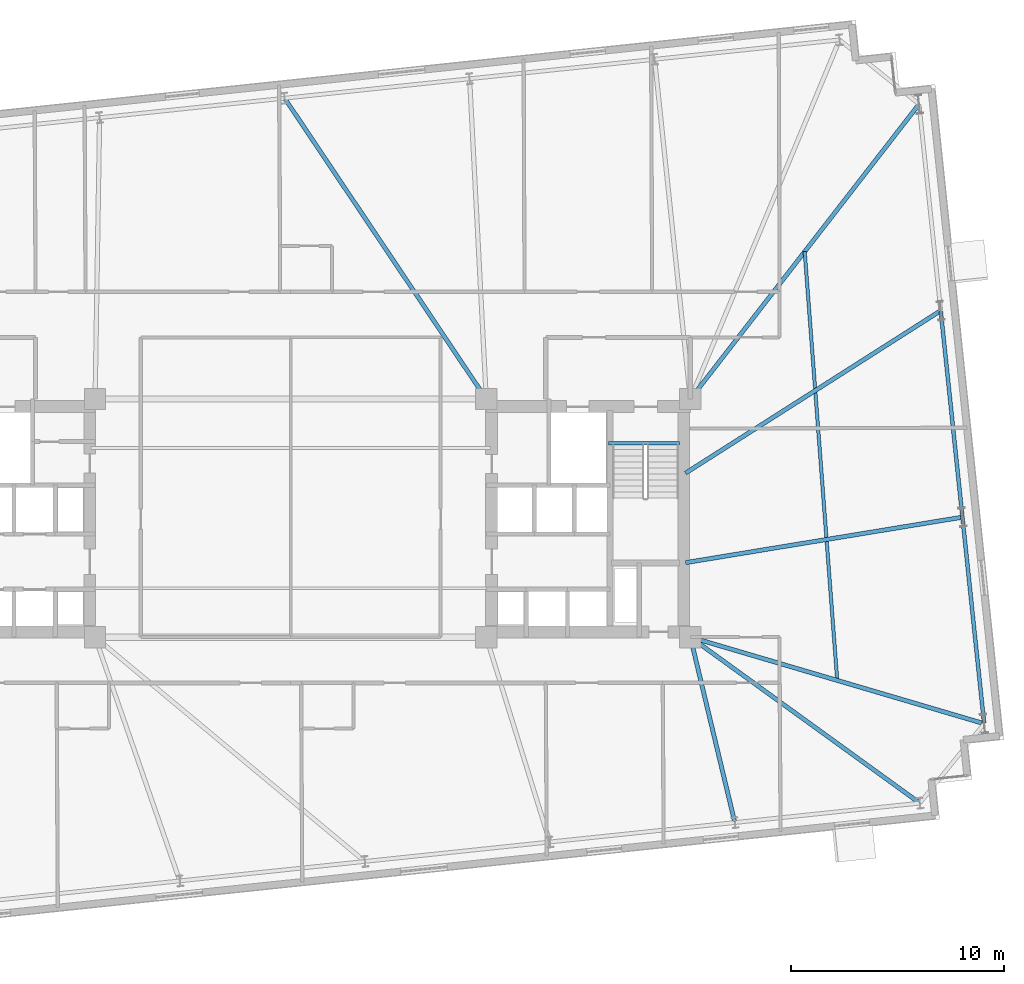
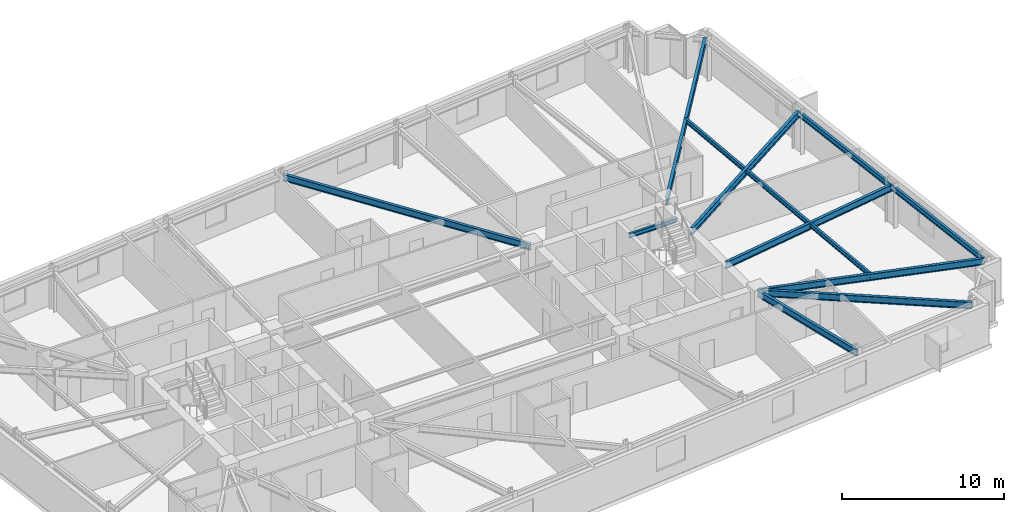
# One storey, part 7 of 17: 11 beams.
"""IFC4 building model written with IfcOpenShell, lengths in metres."""

from ifc_helpers import new_model, si_unit, direction, frame, origin, origin_2d, place, context, subcontext, project, spatial, i_section, extrude, material, material_profile, profile_set, type_object, element, save


model = new_model("IFC4")

# Units and contexts
model_context = context("Model", 3, precision=1e-05, world=origin(), true_north=direction((0.0, 1.0)))
body_context = subcontext(model_context, "Body", "Model", "MODEL_VIEW")
ifc_project = project(units=[si_unit("LENGTHUNIT", "METRE"), si_unit("AREAUNIT", "SQUARE_METRE"), si_unit("VOLUMEUNIT", "CUBIC_METRE"), si_unit("PLANEANGLEUNIT", "RADIAN"), si_unit("MASSUNIT", "GRAM", prefix="KILO")], contexts=[model_context])

# Site, building, storey
site_placement = place(None, origin())
site = spatial("IfcSite", under=ifc_project, at=site_placement, CompositionType="ELEMENT")
building_placement = place(site_placement, origin())
building = spatial("IfcBuilding", under=site, at=building_placement, Name="Qobustan Lattice House", CompositionType="ELEMENT")
storey_placement = place(building_placement, frame((0.0, 0.0, 105.800048828125)))
storey = spatial("IfcBuildingStorey", under=building, at=storey_placement, Name="L29", CompositionType="ELEMENT", Elevation=105.800048828125)

# Beams
ifc_material_1 = material(Name="Steel S355", Category="steel")
ifc_material_profile_1 = material_profile(ifc_material_1, i_section(OverallWidth=0.199951171875, OverallDepth=0.5, WebThickness=0.01025390625, FlangeThickness=0.01611328125, FilletRadius=0.02099609375, at=origin_2d()), Name="IPE500")
ifc_profile_set_1 = profile_set([ifc_material_profile_1], Name="Steel S355")
beam_type_1 = type_object("IfcBeamType", Name="BM-FLG-IPE500", PredefinedType="USERDEFINED", material=ifc_profile_set_1)
beam_1_placement = place(storey_placement, frame((20.885009765625, -14.297607421875, 2.794921875), z_axis=(-0.233107910855, 0.97245087377, 0.0), x_axis=(-0.97245087377, -0.233107910855, 0.0)))
element("IfcBeam", 1, at=beam_1_placement, inside=storey, type_object=beam_type_1, Name="L29 primary floor girder RAD-S6", ObjectType="GIRDER", PredefinedType="USERDEFINED", context=body_context, shape_type="SweptSolid", body=[
    extrude(i_section(OverallWidth=0.199951171875, OverallDepth=0.5, WebThickness=0.01025390625, FlangeThickness=0.01611328125, FilletRadius=0.02099609375, at=origin_2d()), origin(), (0.0, 0.0, 1.0), 8.9189453125),
])
beam_2_placement = place(storey_placement, frame((29.572509765625, -13.392578125, 2.794921875), z_axis=(-0.81023705091, 0.586102313024, 0.0), x_axis=(-0.586102313024, -0.81023705091, 0.0)))
element("IfcBeam", 2, at=beam_2_placement, inside=storey, type_object=beam_type_1, Name="L29 primary floor girder RAD-S7E", ObjectType="GIRDER", PredefinedType="USERDEFINED", context=body_context, shape_type="SweptSolid", body=[
    extrude(i_section(OverallWidth=0.199951171875, OverallDepth=0.5, WebThickness=0.01025390625, FlangeThickness=0.01611328125, FilletRadius=0.02099609375, at=origin_2d()), origin(), (0.0, 0.0, 1.0), 13.2705078125),
])
beam_3_placement = place(storey_placement, frame((-0.272705078125, 19.730224609375, 2.794921875), z_axis=(0.556837669082, -0.830621339896, 0.0), x_axis=(0.830621339896, 0.556837669082, 0.0)))
element("IfcBeam", 3, at=beam_3_placement, inside=storey, type_object=beam_type_1, Name="L29 primary floor girder RAD-N4", ObjectType="GIRDER", PredefinedType="USERDEFINED", context=body_context, shape_type="SweptSolid", body=[
    extrude(i_section(OverallWidth=0.199951171875, OverallDepth=0.5, WebThickness=0.01025390625, FlangeThickness=0.01611328125, FilletRadius=0.02099609375, at=origin_2d()), origin(), (0.0, 0.0, 1.0), 16.986572265625),
])
beam_4_placement = place(storey_placement, frame((29.541015625, 19.44921875, 2.794921875), z_axis=(-0.612860318028, -0.790191262029, 0.0), x_axis=(0.790191262029, -0.612860318028, 0.0)))
element("IfcBeam", 4, at=beam_4_placement, inside=storey, type_object=beam_type_1, Name="L29 primary floor girder RAD-E4", ObjectType="GIRDER", PredefinedType="USERDEFINED", context=body_context, shape_type="SweptSolid", body=[
    extrude(i_section(OverallWidth=0.199951171875, OverallDepth=0.5, WebThickness=0.01025390625, FlangeThickness=0.01611328125, FilletRadius=0.02099609375, at=origin_2d()), origin(), (0.0, 0.0, 1.0), 17.501220703125),
])
beam_5_placement = place(storey_placement, frame((30.555908203125, 9.742431640625, 2.794921875), z_axis=(-0.843584351199, -0.536996687525, 0.0), x_axis=(0.536996687525, -0.843584351199, 0.0)))
element("IfcBeam", 5, at=beam_5_placement, inside=storey, type_object=beam_type_1, Name="L29 primary floor girder RAD-E3", ObjectType="GIRDER", PredefinedType="USERDEFINED", context=body_context, shape_type="SweptSolid", body=[
    extrude(i_section(OverallWidth=0.199951171875, OverallDepth=0.5, WebThickness=0.01025390625, FlangeThickness=0.01611328125, FilletRadius=0.02099609375, at=origin_2d()), origin(), (0.0, 0.0, 1.0), 14.20703125),
])
beam_6_placement = place(storey_placement, frame((31.5732421875, 0.03857421875, 2.794921875), z_axis=(-0.986783828506, -0.162042203761, 0.0), x_axis=(0.162042203761, -0.986783828506, 0.0)))
element("IfcBeam", 6, at=beam_6_placement, inside=storey, type_object=beam_type_1, Name="L29 primary floor girder RAD-E2", ObjectType="GIRDER", PredefinedType="USERDEFINED", context=body_context, shape_type="SweptSolid", body=[
    extrude(i_section(OverallWidth=0.199951171875, OverallDepth=0.5, WebThickness=0.01025390625, FlangeThickness=0.01611328125, FilletRadius=0.02099609375, at=origin_2d()), origin(), (0.0, 0.0, 1.0), 13.172607421875),
])
beam_7_placement = place(storey_placement, frame((32.594970703125, -9.663330078125, 2.794921875), z_axis=(-0.959254941513, 0.282541956499, 0.0), x_axis=(-0.282541956499, -0.959254941513, 0.0)))
element("IfcBeam", 7, at=beam_7_placement, inside=storey, type_object=beam_type_1, Name="L29 primary floor girder RAD-E1", ObjectType="GIRDER", PredefinedType="USERDEFINED", context=body_context, shape_type="SweptSolid", body=[
    extrude(i_section(OverallWidth=0.199951171875, OverallDepth=0.5, WebThickness=0.01025390625, FlangeThickness=0.01611328125, FilletRadius=0.02099609375, at=origin_2d()), origin(), (0.0, 0.0, 1.0), 14.35595703125),
])
ifc_material_2 = material(Name="Steel S355", Category="steel")
ifc_material_profile_2 = material_profile(ifc_material_2, i_section(OverallWidth=0.159912109375, OverallDepth=0.330078125, WebThickness=0.007568359375, FlangeThickness=0.011474609375, FilletRadius=0.01806640625, at=origin_2d()), Name="IPE330")
ifc_profile_set_2 = profile_set([ifc_material_profile_2], Name="Steel S355")
beam_type_2 = type_object("IfcBeamType", Name="BM-SEC-IPE330", PredefinedType="BEAM", material=ifc_profile_set_2)
beam_8_placement = place(storey_placement, frame((24.177978515625, 12.534423828125, 2.8798828125), z_axis=(0.075712576466, -0.997129683524, 0.0), x_axis=(0.997129683524, 0.075712576466, 0.0)))
element("IfcBeam", 8, at=beam_8_placement, inside=storey, type_object=beam_type_2, Name="L29 east wing secondary beam", PredefinedType="BEAM", context=body_context, shape_type="SweptSolid", body=[
    extrude(i_section(OverallWidth=0.159912109375, OverallDepth=0.330078125, WebThickness=0.007568359375, FlangeThickness=0.011474609375, FilletRadius=0.01806640625, at=origin_2d()), origin(), (0.0, 0.0, 1.0), 20.227783203125),
])
ifc_material_3 = material(Name="Steel S355", Category="steel")
ifc_material_profile_3 = material_profile(ifc_material_3, i_section(OverallWidth=0.159912109375, OverallDepth=0.330078125, WebThickness=0.007568359375, FlangeThickness=0.011474609375, FilletRadius=0.01806640625, at=origin_2d()), Name="IPE330")
ifc_profile_set_3 = profile_set([ifc_material_profile_3], Name="Steel S355")
beam_type_3 = type_object("IfcBeamType", Name="BM-SPD-IPE330", PredefinedType="SPANDREL", material=ifc_profile_set_3)
beam_9_placement = place(storey_placement, frame((14.949951171875, 3.52001953125, 2.8798828125), z_axis=(1.0, 0.0, 0.0), x_axis=(0.0, 1.0, 0.0)))
element("IfcBeam", 9, at=beam_9_placement, inside=storey, type_object=beam_type_3, Name="L29 east stair landing trimmer beam", PredefinedType="SPANDREL", context=body_context, shape_type="SweptSolid", body=[
    extrude(i_section(OverallWidth=0.159912109375, OverallDepth=0.330078125, WebThickness=0.007568359375, FlangeThickness=0.011474609375, FilletRadius=0.01806640625, at=origin_2d()), origin(), (0.0, 0.0, 1.0), 3.35009765625),
])
ifc_material_4 = material(Name="Steel S355", Category="steel")
ifc_material_profile_4 = material_profile(ifc_material_4, i_section(OverallWidth=0.179931640625, OverallDepth=0.39990234375, WebThickness=0.008544921875, FlangeThickness=0.013427734375, FilletRadius=0.02099609375, at=origin_2d()), Name="IPE400")
ifc_profile_set_4 = profile_set([ifc_material_profile_4], Name="Steel S355")
beam_type_4 = type_object("IfcBeamType", Name="BM-SPD-IPE400", PredefinedType="SPANDREL", material=ifc_profile_set_4)
for number, where, z_axis, x_axis, name in (
    (10, (32.6162109375, -9.6455078125, 2.844970703125), (-0.104525214252, 0.994522236848, 0.0), (-0.994522236848, -0.104525214252, 0.0), "L29 perimeter spandrel E1-E2"),
    (11, (31.595458984375, 0.067626953125, 2.844970703125), (-0.10455006589, 0.994519624604, 0.0), (-0.994519624604, -0.10455006589, 0.0), "L29 perimeter spandrel E2-E3"),
):
    element("IfcBeam", number, at=place(storey_placement, frame(where, z_axis=z_axis, x_axis=x_axis)), inside=storey, type_object=beam_type_4, Name=name, PredefinedType="SPANDREL", context=body_context, shape_type="SweptSolid", body=[
        extrude(i_section(OverallWidth=0.179931640625, OverallDepth=0.39990234375, WebThickness=0.008544921875, FlangeThickness=0.013427734375, FilletRadius=0.02099609375, at=origin_2d()), origin(), (0.0, 0.0, 1.0), 9.716552734375),
    ])

save(model, "model.ifc")
